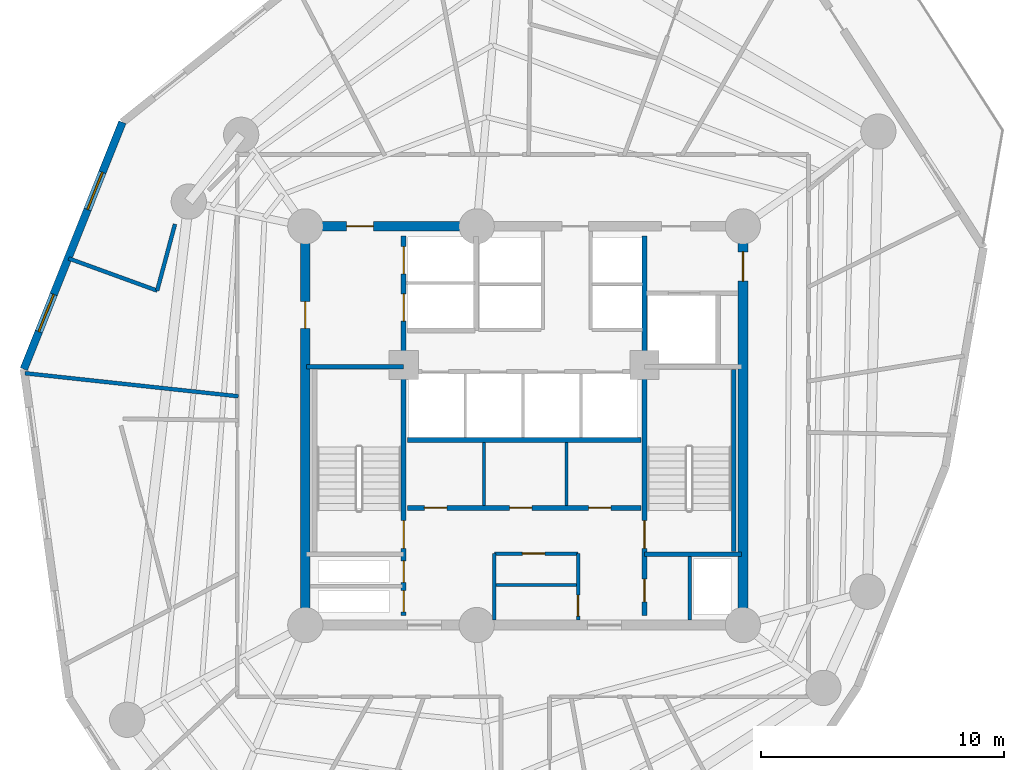
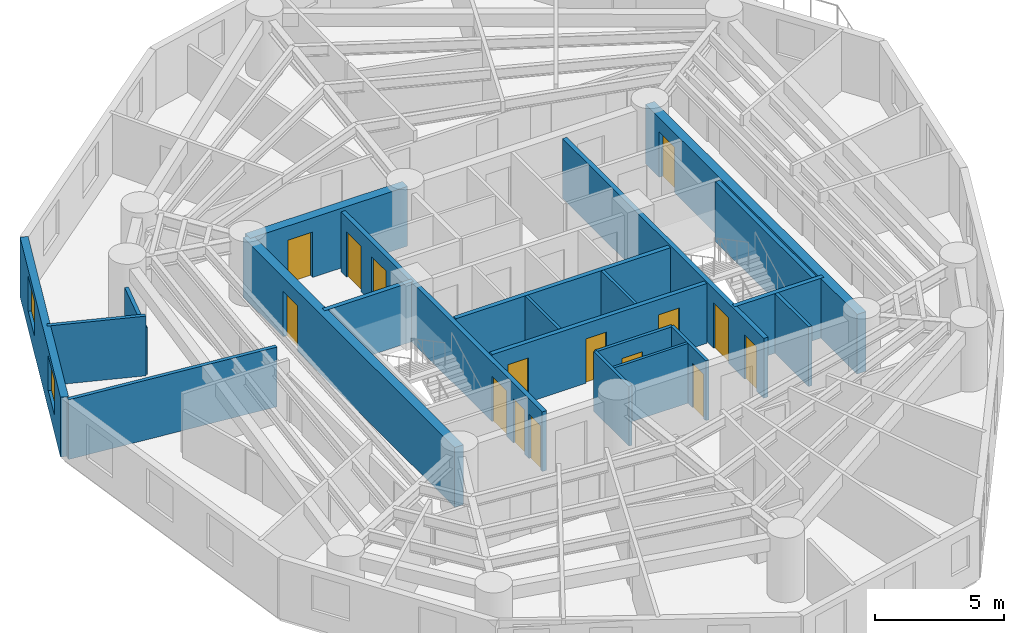
# One storey, part 4 of 8: 21 walls, 15 doors, 2 windows, 17 openings.
"""IFC4 building model written with IfcOpenShell, lengths in metres."""

from ifc_helpers import new_model, si_unit, direction, frame, frame_2d, origin, origin_with_axes, place, context, subcontext, project, spatial, rectangle, extrude, source, transform, mapped, material, layer, layer_set, type_object, element, fill, save


model = new_model("IFC4")

# Units and contexts
model_context = context("Model", 3, precision=1e-05, world=origin(), true_north=direction((0.0, 1.0)))
body_context = subcontext(model_context, "Body", "Model", "MODEL_VIEW")
ifc_project = project(units=[si_unit("LENGTHUNIT", "METRE"), si_unit("AREAUNIT", "SQUARE_METRE"), si_unit("VOLUMEUNIT", "CUBIC_METRE"), si_unit("PLANEANGLEUNIT", "RADIAN"), si_unit("MASSUNIT", "GRAM", prefix="KILO")], contexts=[model_context])

# Site, building, storey
site_placement = place(None, origin())
site = spatial("IfcSite", under=ifc_project, at=site_placement, CompositionType="ELEMENT")
building_placement = place(site_placement, origin())
building = spatial("IfcBuilding", under=site, at=building_placement, Name="Karkom Vertical University and Central Library", CompositionType="ELEMENT")
storey_placement = place(building_placement, frame((0.0, 0.0, 132.800048828125)))
storey = spatial("IfcBuildingStorey", under=building, at=storey_placement, Name="L37", CompositionType="ELEMENT", Elevation=132.800048828125)

# Wall, openings, windows
ifc_material_1 = material(Name="Brick-faced precast concrete C45/55", Category="masonry")
ifc_layer_1 = layer(ifc_material_1, 0.320068359375)
ifc_layer_set_1 = layer_set([ifc_layer_1], Name="Brick-faced precast concrete C45/55")
wall_type_1 = type_object("IfcWallType", Name="ENV-WL-BRK-320", PredefinedType="SOLIDWALL", material=ifc_layer_set_1)
wall_1_placement = place(storey_placement, frame((11.975341796875, 38.981201171875, 0.0), z_axis=(0.0, 0.0, 1.0), x_axis=(-0.370728292026, -0.928741370615, 0.0)))
wall_1 = element("IfcWall", 1, at=wall_1_placement, inside=storey, type_object=wall_type_1, Name="Level 37 Brick-Faced Precast Facade Wall 12", PredefinedType="SOLIDWALL", context=body_context, shape_type="SweptSolid", body=[
    extrude(rectangle(XDim=10.931884765625, YDim=0.320068359375, at=frame_2d((5.4658203125, 0.0))), origin(), (0.0, 0.0, 1.0), 2.824951171875),
])
opening_1_placement = place(wall_1_placement, frame((2.214599609375, 0.0, 0.85009765625)))
opening_1 = element("IfcOpeningElement", 2, at=opening_1_placement, cuts=wall_1, Name="Opening WN-06", PredefinedType="OPENING", context=body_context, shape_type="SweptSolid", body=[
    extrude(rectangle(XDim=1.64990234375, YDim=1.64990234375, at=frame_2d((0.824951171875, 0.824951171875))), frame((0.0, 0.169921875, 0.0), z_axis=(0.0, -1.0, 0.0), x_axis=(1.0, 0.0, 0.0)), (0.0, 0.0, 1.0), 0.340087890625),
])
opening_2_placement = place(wall_1_placement, frame((7.620361328125, 0.0, 0.85009765625)))
opening_2 = element("IfcOpeningElement", 3, at=opening_2_placement, cuts=wall_1, Name="Opening WN-06", PredefinedType="OPENING", context=body_context, shape_type="SweptSolid", body=[
    extrude(rectangle(XDim=1.64990234375, YDim=1.64990234375, at=frame_2d((0.824951171875, 0.824951171875))), frame((0.0, 0.169921875, 0.0), z_axis=(0.0, -1.0, 0.0), x_axis=(1.0, 0.0, 0.0)), (0.0, 0.0, 1.0), 0.340087890625),
])
ifc_material_2 = material(Name="Aluminium thermal-break frame with solar-control IGU", Category="aluminium")
window_type = type_object("IfcWindowType", Name="ENV-WIN-WN-06", PartitioningType="SINGLE_PANEL", PredefinedType="WINDOW", material=ifc_material_2)
shared_shape_1 = source(origin_with_axes(), body_context, "Body", "SweptSolid", [
    extrude(rectangle(XDim=1.64990234375, YDim=1.64990234375, at=frame_2d((0.824951171875, 0.824951171875))), frame((0.0, 0.030029296875, 0.0), z_axis=(0.0, -1.0, 0.0), x_axis=(1.0, 0.0, 0.0)), (0.0, 0.0, 1.0), 0.06005859375),
])
window_1_placement = place(opening_1_placement, origin())
window_1 = element("IfcWindow", 4, at=window_1_placement, inside=storey, type_object=window_type, Name="Level 37 Punched Window 12.1", OverallHeight=1.64990234375, OverallWidth=1.64990234375, PartitioningType="SINGLE_PANEL", PredefinedType="WINDOW", context=body_context, shape_type="MappedRepresentation", body=[
    mapped(shared_shape_1, transform((0.0, 0.0, 0.0), scale=1.0)),
])
fill(opening_1, window_1)
window_2_placement = place(opening_2_placement, origin())
window_2 = element("IfcWindow", 5, at=window_2_placement, inside=storey, type_object=window_type, Name="Level 37 Punched Window 12.2", OverallHeight=1.64990234375, OverallWidth=1.64990234375, PartitioningType="SINGLE_PANEL", PredefinedType="WINDOW", context=body_context, shape_type="MappedRepresentation", body=[
    mapped(shared_shape_1, transform((0.0, 0.0, 0.0), scale=1.0)),
])
fill(opening_2, window_2)

# Walls
ifc_material_3 = material(Name="Insulated metal-stud drywall 160mm", Category="gypsum")
ifc_layer_2 = layer(ifc_material_3, 0.159912109375)
ifc_layer_set_2 = layer_set([ifc_layer_2], Name="Insulated metal-stud drywall 160mm")
wall_type_2 = type_object("IfcWallType", Name="INT-WL-COR-160", PredefinedType="PARTITIONING", material=ifc_layer_set_2)
wall_2_placement = place(storey_placement, frame((7.973388671875, 28.658203125, 0.0), z_axis=(0.0, 0.0, 1.0), x_axis=(0.994210323824, -0.107451533272, 0.0)))
element("IfcWall", 6, at=wall_2_placement, inside=storey, type_object=wall_type_2, Name="Level 37 Interior Partition Wall L37-PW-004", PredefinedType="PARTITIONING", context=body_context, shape_type="SweptSolid", body=[
    extrude(rectangle(XDim=8.822509765625, YDim=0.159912109375, at=frame_2d((4.4111328125, 0.0))), origin(), (0.0, 0.0, 1.0), 2.824951171875),
])
wall_3_placement = place(storey_placement, frame((13.406005859375, 32.056640625, 0.0), z_axis=(0.0, 0.0, 1.0), x_axis=(-0.939699515727, 0.342001199035, 0.0)))
element("IfcWall", 7, at=wall_3_placement, inside=storey, type_object=wall_type_2, Name="Level 37 Interior Partition Wall L37-PW-028", PredefinedType="PARTITIONING", context=body_context, shape_type="SweptSolid", body=[
    extrude(rectangle(XDim=3.872802734375, YDim=0.159912109375, at=frame_2d((1.9365234375, 0.0))), origin(), (0.0, 0.0, 1.0), 2.824951171875),
])
wall_4_placement = place(storey_placement, frame((14.138916015625, 34.79150390625, 0.0), z_axis=(0.0, 0.0, 1.0), x_axis=(-0.258853892004, -0.965916488416, 0.0)))
element("IfcWall", 8, at=wall_4_placement, inside=storey, type_object=wall_type_2, Name="Level 37 Interior Partition Wall L37-PW-027", PredefinedType="PARTITIONING", context=body_context, shape_type="SweptSolid", body=[
    extrude(rectangle(XDim=2.831298828125, YDim=0.159912109375, at=frame_2d((1.41552734375, 0.0))), origin(), (0.0, 0.0, 1.0), 2.224853515625),
])
ifc_material_4 = material(Name="Moisture-resistant drywall 120mm", Category="gypsum")
ifc_layer_3 = layer(ifc_material_4, 0.1201171875)
ifc_layer_set_3 = layer_set([ifc_layer_3], Name="Moisture-resistant drywall 120mm")
wall_type_3 = type_object("IfcWallType", Name="INT-WL-INT-120", PredefinedType="PARTITIONING", material=ifc_layer_set_3)
wall_5_placement = place(storey_placement, frame((27.280029296875, 19.93994140625, 0.0), z_axis=(0.0, 0.0, 1.0), x_axis=(1.0, 0.0, 0.0)))
element("IfcWall", 9, at=wall_5_placement, inside=storey, type_object=wall_type_3, Name="Level 37 Interior Partition Wall L37-CW-K4-DIV", PredefinedType="PARTITIONING", context=body_context, shape_type="SweptSolid", body=[
    extrude(rectangle(XDim=3.43994140625, YDim=0.1201171875, at=frame_2d((1.719970703125, 0.0))), origin(), (0.0, 0.0, 1.0), 2.824951171875),
])
for number, where, z_axis, x_axis, name in (
    (10, (26.85009765625, 23.22705078125, 0.0), (0.0, 0.0, 1.0), (0.0, 1.0, 0.0), "Level 37 Interior Partition Wall L37-CW-B1-K4A"),
    (11, (30.25, 23.22705078125, 0.0), (0.0, 0.0, 1.0), (0.0, 1.0, 0.0), "Level 37 Interior Partition Wall L37-CW-B1-K4B"),
):
    element("IfcWall", number, at=place(storey_placement, frame(where, z_axis=z_axis, x_axis=x_axis)), inside=storey, type_object=wall_type_3, Name=name, PredefinedType="PARTITIONING", context=body_context, shape_type="SweptSolid", body=[
        extrude(rectangle(XDim=2.586669921875, YDim=0.1201171875, at=frame_2d((1.29345703125, 0.0))), origin(), (0.0, 0.0, 1.0), 2.824951171875),
    ])

# Wall, opening, door
ifc_material_5 = material(Name="Metal-stud gypsum partition 140mm", Category="gypsum")
ifc_layer_4 = layer(ifc_material_5, 0.139892578125)
ifc_layer_set_4 = layer_set([ifc_layer_4], Name="Metal-stud gypsum partition 140mm")
wall_type_4 = type_object("IfcWallType", Name="INT-WL-SUB-140", PredefinedType="PARTITIONING", material=ifc_layer_set_4)
wall_6_placement = place(storey_placement, frame((27.280029296875, 21.239990234375, 0.0), z_axis=(0.0, 0.0, 1.0), x_axis=(1.0, 0.0, 0.0)))
wall_6 = element("IfcWall", 12, at=wall_6_placement, inside=storey, type_object=wall_type_4, Name="Level 37 Interior Partition Wall L37-CW-KBAY-N", PredefinedType="PARTITIONING", context=body_context, shape_type="SweptSolid", body=[
    extrude(rectangle(XDim=3.43994140625, YDim=0.139892578125, at=frame_2d((1.719970703125, 0.0))), origin(), (0.0, 0.0, 1.0), 2.824951171875),
])
opening_3_placement = place(wall_6_placement, frame((1.14990234375, 0.0, 0.0)))
opening_3 = element("IfcOpeningElement", 13, at=opening_3_placement, cuts=wall_6, Name="Opening D-SVC1", PredefinedType="OPENING", context=body_context, shape_type="SweptSolid", body=[
    extrude(rectangle(XDim=0.919921875, YDim=2.10009765625, at=frame_2d((0.4599609375, 1.050048828125))), frame((0.0, 0.080078125, 0.0), z_axis=(0.0, -1.0, 0.0), x_axis=(1.0, 0.0, 0.0)), (0.0, 0.0, 1.0), 0.159912109375),
])
ifc_material_6 = material(Name="Painted timber service door", Category="wood")
door_type_1 = type_object("IfcDoorType", Name="INT-DR-SVC1", OperationType="NOTDEFINED", PredefinedType="DOOR", material=ifc_material_6)
shared_shape_2 = source(origin_with_axes(), body_context, "Body", "SweptSolid", [
    extrude(rectangle(XDim=0.919921875, YDim=2.10009765625, at=frame_2d((0.4599609375, 1.050048828125))), frame((0.0, 0.02490234375, 0.0), z_axis=(0.0, -1.0, 0.0), x_axis=(1.0, 0.0, 0.0)), (0.0, 0.0, 1.0), 0.050048828125),
])
door_1_placement = place(opening_3_placement, origin())
door_1 = element("IfcDoor", 14, at=door_1_placement, inside=storey, type_object=door_type_1, Name="Level 37 Valve Cupboard Door", OperationType="SINGLE_SWING_LEFT", OverallHeight=2.10009765625, OverallWidth=0.919921875, PredefinedType="DOOR", context=body_context, shape_type="MappedRepresentation", body=[
    mapped(shared_shape_2, transform((0.0, 0.0, 0.0), scale=1.0)),
])
fill(opening_3, door_1)

# Wall
wall_7_placement = place(storey_placement, frame((27.280029296875, 18.507080078125, 0.0), z_axis=(0.0, 0.0, 1.0), x_axis=(0.0, 1.0, 0.0)))
element("IfcWall", 15, at=wall_7_placement, inside=storey, type_object=wall_type_4, Name="Level 37 Interior Partition Wall L37-CW-KBAY-W", PredefinedType="PARTITIONING", context=body_context, shape_type="SweptSolid", body=[
    extrude(rectangle(XDim=2.73291015625, YDim=0.139892578125, at=frame_2d((1.366455078125, 0.0))), origin(), (0.0, 0.0, 1.0), 2.824951171875),
])

# Wall, opening, door
wall_8_placement = place(storey_placement, frame((30.719970703125, 18.507080078125, 0.0), z_axis=(0.0, 0.0, 1.0), x_axis=(0.0, 1.0, 0.0)))
wall_8 = element("IfcWall", 16, at=wall_8_placement, inside=storey, type_object=wall_type_4, Name="Level 37 Interior Partition Wall L37-CW-KBAY-E", PredefinedType="PARTITIONING", context=body_context, shape_type="SweptSolid", body=[
    extrude(rectangle(XDim=2.73291015625, YDim=0.139892578125, at=frame_2d((1.366455078125, 0.0))), origin(), (0.0, 0.0, 1.0), 2.824951171875),
])
opening_4_placement = place(wall_8_placement, frame((0.159912109375, 0.0, 0.0)))
opening_4 = element("IfcOpeningElement", 17, at=opening_4_placement, cuts=wall_8, Name="Opening FD-BTH1", PredefinedType="OPENING", context=body_context, shape_type="SweptSolid", body=[
    extrude(rectangle(XDim=0.860107421875, YDim=2.10009765625, at=frame_2d((0.43017578125, 1.050048828125))), frame((0.0, 0.080078125, 0.0), z_axis=(0.0, -1.0, 0.0), x_axis=(1.0, 0.0, 0.0)), (0.0, 0.0, 1.0), 0.159912109375),
])
ifc_material_7 = material(Name="Fire-rated moisture-resistant oak door", Category="wood")
door_type_2 = type_object("IfcDoorType", Name="INT-DR-FBTH1", OperationType="NOTDEFINED", PredefinedType="DOOR", material=ifc_material_7)
shared_shape_3 = source(origin_with_axes(), body_context, "Body", "SweptSolid", [
    extrude(rectangle(XDim=0.860107421875, YDim=2.10009765625, at=frame_2d((0.43017578125, 1.050048828125))), frame((0.0, 0.02490234375, 0.0), z_axis=(0.0, -1.0, 0.0), x_axis=(1.0, 0.0, 0.0)), (0.0, 0.0, 1.0), 0.050048828125),
])
door_2_placement = place(opening_4_placement, origin())
door_2 = element("IfcDoor", 18, at=door_2_placement, inside=storey, type_object=door_type_2, Name="Level 37 Metering Cupboard Door", OperationType="SINGLE_SWING_RIGHT", OverallHeight=2.10009765625, OverallWidth=0.860107421875, PredefinedType="DOOR", context=body_context, shape_type="MappedRepresentation", body=[
    mapped(shared_shape_3, transform((0.0, 0.0, 0.0), scale=1.0)),
])
fill(opening_4, door_2)

# Wall
ifc_layer_5 = layer(ifc_material_5, 0.139892578125)
ifc_layer_set_5 = layer_set([ifc_layer_5], Name="Metal-stud gypsum partition 140mm")
wall_type_5 = type_object("IfcWallType", Name="INT-WL-SUB-140H", PredefinedType="PARTITIONING", material=ifc_layer_set_5)
wall_9_placement = place(storey_placement, frame((35.320068359375, 18.507080078125, 0.0), z_axis=(0.0, 0.0, 1.0), x_axis=(0.0, 1.0, 0.0)))
element("IfcWall", 19, at=wall_9_placement, inside=storey, type_object=wall_type_5, Name="Level 37 Interior Partition Wall L37-CW-RIS-E", PredefinedType="PARTITIONING", context=body_context, shape_type="SweptSolid", body=[
    extrude(rectangle(XDim=2.603759765625, YDim=0.139892578125, at=frame_2d((1.3017578125, 0.0))), origin(), (0.0, 0.0, 1.0), 2.824951171875),
])

# Wall, opening, door
ifc_material_8 = material(Name="Concrete C50/60", Category="concrete")
ifc_layer_6 = layer(ifc_material_8, 0.39990234375)
ifc_layer_set_6 = layer_set([ifc_layer_6], Name="Concrete C50/60")
wall_type_6 = type_object("IfcWallType", Name="STR-WL-CW-400", PredefinedType="SHEAR", material=ifc_layer_set_6)
wall_10_placement = place(storey_placement, frame((37.5, 18.300048828125, 0.0), z_axis=(0.0, 0.0, 1.0), x_axis=(0.0, 1.0, 0.0)))
wall_10 = element("IfcWall", 20, at=wall_10_placement, inside=storey, type_object=wall_type_6, Name="Level 37 Central Core Shear Wall EW", PredefinedType="SHEAR", context=body_context, shape_type="SweptSolid", body=[
    extrude(rectangle(XDim=16.39990234375, YDim=0.39990234375, at=frame_2d((8.199951171875, 0.0))), origin(), (0.0, 0.0, 1.0), 2.824951171875),
])
opening_5_placement = place(wall_10_placement, frame((14.14990234375, 0.0, 0.0)))
opening_5 = element("IfcOpeningElement", 21, at=opening_5_placement, cuts=wall_10, Name="Opening FD-SUB1", PredefinedType="OPENING", context=body_context, shape_type="SweptSolid", body=[
    extrude(rectangle(XDim=1.199951171875, YDim=2.14990234375, at=frame_2d((0.60009765625, 1.074951171875))), frame((0.0, 0.2099609375, 0.0), z_axis=(0.0, -1.0, 0.0), x_axis=(1.0, 0.0, 0.0)), (0.0, 0.0, 1.0), 0.419921875),
])
ifc_material_9 = material(Name="Painted steel fire door", Category="steel")
door_type_3 = type_object("IfcDoorType", Name="INT-DR-SUB1", OperationType="NOTDEFINED", PredefinedType="DOOR", material=ifc_material_9)
shared_shape_4 = source(origin_with_axes(), body_context, "Body", "SweptSolid", [
    extrude(rectangle(XDim=1.199951171875, YDim=2.14990234375, at=frame_2d((0.60009765625, 1.074951171875))), frame((0.0, 0.02490234375, 0.0), z_axis=(0.0, -1.0, 0.0), x_axis=(1.0, 0.0, 0.0)), (0.0, 0.0, 1.0), 0.050048828125),
])
door_3_placement = place(opening_5_placement, origin())
door_3 = element("IfcDoor", 22, at=door_3_placement, inside=storey, type_object=door_type_3, Name="Level 37 East Corridor Service Lobby Door", OperationType="SINGLE_SWING_LEFT", OverallHeight=2.14990234375, OverallWidth=1.199951171875, PredefinedType="DOOR", context=body_context, shape_type="MappedRepresentation", body=[
    mapped(shared_shape_4, transform((0.0, 0.0, 0.0), scale=1.0)),
])
fill(opening_5, door_3)

wall_11_placement = place(storey_placement, frame((26.550048828125, 34.699951171875, 0.0), z_axis=(0.0, 0.0, 1.0), x_axis=(-1.0, 0.0, 0.0)))
wall_11 = element("IfcWall", 23, at=wall_11_placement, inside=storey, type_object=wall_type_6, Name="Level 37 Central Core Shear Wall NW2", PredefinedType="SHEAR", context=body_context, shape_type="SweptSolid", body=[
    extrude(rectangle(XDim=7.050048828125, YDim=0.39990234375, at=frame_2d((3.52490234375, 0.0))), origin(), (0.0, 0.0, 1.0), 2.824951171875),
])
opening_6_placement = place(wall_11_placement, frame((4.25, 0.0, 0.0)))
opening_6 = element("IfcOpeningElement", 24, at=opening_6_placement, cuts=wall_11, Name="Opening FD-FFL", PredefinedType="OPENING", context=body_context, shape_type="SweptSolid", body=[
    extrude(rectangle(XDim=1.10009765625, YDim=2.14990234375, at=frame_2d((0.550048828125, 1.074951171875))), frame((0.0, 0.2099609375, 0.0), z_axis=(0.0, -1.0, 0.0), x_axis=(1.0, 0.0, 0.0)), (0.0, 0.0, 1.0), 0.419921875),
])
ifc_material_10 = material(Name="Painted steel smoke-seal fire door", Category="steel")
door_type_4 = type_object("IfcDoorType", Name="INT-DR-FFL", OperationType="NOTDEFINED", PredefinedType="DOOR", material=ifc_material_10)
shared_shape_5 = source(origin_with_axes(), body_context, "Body", "SweptSolid", [
    extrude(rectangle(XDim=1.10009765625, YDim=2.14990234375, at=frame_2d((0.550048828125, 1.074951171875))), frame((0.0, 0.02490234375, 0.0), z_axis=(0.0, -1.0, 0.0), x_axis=(1.0, 0.0, 0.0)), (0.0, 0.0, 1.0), 0.050048828125),
])
door_4_placement = place(opening_6_placement, origin())
door_4 = element("IfcDoor", 25, at=door_4_placement, inside=storey, type_object=door_type_4, Name="Level 37 Firefighting Lobby Door", OperationType="SINGLE_SWING_LEFT", OverallHeight=2.14990234375, OverallWidth=1.10009765625, PredefinedType="DOOR", context=body_context, shape_type="MappedRepresentation", body=[
    mapped(shared_shape_5, transform((0.0, 0.0, 0.0), scale=1.0)),
])
fill(opening_6, door_4)

wall_12_placement = place(storey_placement, frame((19.5, 34.699951171875, 0.0), z_axis=(0.0, 0.0, 1.0), x_axis=(0.0, -1.0, 0.0)))
wall_12 = element("IfcWall", 26, at=wall_12_placement, inside=storey, type_object=wall_type_6, Name="Level 37 Central Core Shear Wall WW", PredefinedType="SHEAR", context=body_context, shape_type="SweptSolid", body=[
    extrude(rectangle(XDim=16.39990234375, YDim=0.39990234375, at=frame_2d((8.199951171875, 0.0))), origin(), (0.0, 0.0, 1.0), 2.824951171875),
])
opening_7_placement = place(wall_12_placement, frame((3.10009765625, 0.0, 0.0)))
opening_7 = element("IfcOpeningElement", 27, at=opening_7_placement, cuts=wall_12, Name="Opening FD-FFL", PredefinedType="OPENING", context=body_context, shape_type="SweptSolid", body=[
    extrude(rectangle(XDim=1.10009765625, YDim=2.14990234375, at=frame_2d((0.550048828125, 1.074951171875))), frame((0.0, 0.2099609375, 0.0), z_axis=(0.0, -1.0, 0.0), x_axis=(1.0, 0.0, 0.0)), (0.0, 0.0, 1.0), 0.419921875),
])
door_5_placement = place(opening_7_placement, origin())
door_5 = element("IfcDoor", 28, at=door_5_placement, inside=storey, type_object=door_type_4, Name="Level 37 West Corridor Firefighting Lobby Door", OperationType="SINGLE_SWING_RIGHT", OverallHeight=2.14990234375, OverallWidth=1.10009765625, PredefinedType="DOOR", context=body_context, shape_type="MappedRepresentation", body=[
    mapped(shared_shape_5, transform((0.0, 0.0, 0.0), scale=1.0)),
])
fill(opening_7, door_5)

# Wall, openings, doors
ifc_material_11 = material(Name="Concrete C45/55", Category="concrete")
ifc_layer_7 = layer(ifc_material_11, 0.199951171875)
ifc_layer_set_7 = layer_set([ifc_layer_7], Name="Concrete C45/55")
wall_type_7 = type_object("IfcWallType", Name="STR-WL-ST-200", PredefinedType="SHEAR", material=ifc_layer_set_7)
wall_13_placement = place(storey_placement, frame((23.544921875, 18.699951171875, 0.0), z_axis=(0.0, 0.0, 1.0), x_axis=(0.0, 1.0, 0.0)))
wall_13 = element("IfcWall", 29, at=wall_13_placement, inside=storey, type_object=wall_type_7, Name="Level 37 Core Shaft Wall L37-CW-ST1-E", PredefinedType="SHEAR", context=body_context, shape_type="SweptSolid", body=[
    extrude(rectangle(XDim=15.60009765625, YDim=0.199951171875, at=frame_2d((7.800048828125, 0.0))), origin(), (0.0, 0.0, 1.0), 2.824951171875),
])
opening_8_placement = place(wall_13_placement, frame((2.75, 0.0, 0.0)))
opening_8 = element("IfcOpeningElement", 30, at=opening_8_placement, cuts=wall_13, Name="Opening FD-ST1", PredefinedType="OPENING", context=body_context, shape_type="SweptSolid", body=[
    extrude(rectangle(XDim=1.14990234375, YDim=2.14990234375, at=frame_2d((0.574951171875, 1.074951171875))), frame((0.0, 0.10986328125, 0.0), z_axis=(0.0, -1.0, 0.0), x_axis=(1.0, 0.0, 0.0)), (0.0, 0.0, 1.0), 0.219970703125),
])
opening_9_placement = place(wall_13_placement, frame((0.139892578125, 0.0, 0.0)))
opening_9 = element("IfcOpeningElement", 31, at=opening_9_placement, cuts=wall_13, Name="Opening FD-RIS", PredefinedType="OPENING", context=body_context, shape_type="SweptSolid", body=[
    extrude(rectangle(XDim=0.8798828125, YDim=2.10009765625, at=frame_2d((0.43994140625, 1.050048828125))), frame((0.0, 0.10986328125, 0.0), z_axis=(0.0, -1.0, 0.0), x_axis=(1.0, 0.0, 0.0)), (0.0, 0.0, 1.0), 0.219970703125),
])
opening_10_placement = place(wall_13_placement, frame((1.360107421875, 0.0, 0.0)))
opening_10 = element("IfcOpeningElement", 32, at=opening_10_placement, cuts=wall_13, Name="Opening FD-RIS", PredefinedType="OPENING", context=body_context, shape_type="SweptSolid", body=[
    extrude(rectangle(XDim=0.8798828125, YDim=2.10009765625, at=frame_2d((0.43994140625, 1.050048828125))), frame((0.0, 0.10986328125, 0.0), z_axis=(0.0, -1.0, 0.0), x_axis=(1.0, 0.0, 0.0)), (0.0, 0.0, 1.0), 0.219970703125),
])
opening_11_placement = place(wall_13_placement, frame((12.10009765625, 0.0, 0.0)))
opening_11 = element("IfcOpeningElement", 33, at=opening_11_placement, cuts=wall_13, Name="Opening LD-FFL", PredefinedType="OPENING", context=body_context, shape_type="SweptSolid", body=[
    extrude(rectangle(XDim=1.1201171875, YDim=2.14990234375, at=frame_2d((0.56005859375, 1.074951171875))), frame((0.0, 0.10986328125, 0.0), z_axis=(0.0, -1.0, 0.0), x_axis=(1.0, 0.0, 0.0)), (0.0, 0.0, 1.0), 0.219970703125),
])
opening_12_placement = place(wall_13_placement, frame((14.050048828125, 0.0, 0.0)))
opening_12 = element("IfcOpeningElement", 34, at=opening_12_placement, cuts=wall_13, Name="Opening LD-FFL", PredefinedType="OPENING", context=body_context, shape_type="SweptSolid", body=[
    extrude(rectangle(XDim=1.1201171875, YDim=2.14990234375, at=frame_2d((0.56005859375, 1.074951171875))), frame((0.0, 0.10986328125, 0.0), z_axis=(0.0, -1.0, 0.0), x_axis=(1.0, 0.0, 0.0)), (0.0, 0.0, 1.0), 0.219970703125),
])
ifc_material_12 = material(Name="Painted steel acoustic fire door", Category="steel")
door_type_5 = type_object("IfcDoorType", Name="INT-DR-ST1", OperationType="NOTDEFINED", PredefinedType="DOOR", material=ifc_material_12)
shared_shape_6 = source(origin_with_axes(), body_context, "Body", "SweptSolid", [
    extrude(rectangle(XDim=1.14990234375, YDim=2.14990234375, at=frame_2d((0.574951171875, 1.074951171875))), frame((0.0, 0.02490234375, 0.0), z_axis=(0.0, -1.0, 0.0), x_axis=(1.0, 0.0, 0.0)), (0.0, 0.0, 1.0), 0.050048828125),
])
door_6_placement = place(opening_8_placement, origin())
door_6 = element("IfcDoor", 35, at=door_6_placement, inside=storey, type_object=door_type_5, Name="Level 37 Stair ST-1 Fire Door", OperationType="SINGLE_SWING_LEFT", OverallHeight=2.14990234375, OverallWidth=1.14990234375, PredefinedType="DOOR", context=body_context, shape_type="MappedRepresentation", body=[
    mapped(shared_shape_6, transform((0.0, 0.0, 0.0), scale=1.0)),
])
fill(opening_8, door_6)
ifc_material_13 = material(Name="Painted steel riser access door", Category="steel")
door_type_6 = type_object("IfcDoorType", Name="INT-DR-RIS", OperationType="NOTDEFINED", PredefinedType="DOOR", material=ifc_material_13)
shared_shape_7 = source(origin_with_axes(), body_context, "Body", "SweptSolid", [
    extrude(rectangle(XDim=0.8798828125, YDim=2.10009765625, at=frame_2d((0.43994140625, 1.050048828125))), frame((0.0, 0.02490234375, 0.0), z_axis=(0.0, -1.0, 0.0), x_axis=(1.0, 0.0, 0.0)), (0.0, 0.0, 1.0), 0.050048828125),
])
door_7_placement = place(opening_9_placement, origin())
door_7 = element("IfcDoor", 36, at=door_7_placement, inside=storey, type_object=door_type_6, Name="Level 37 Electrical Riser Access Door", OperationType="SINGLE_SWING_LEFT", OverallHeight=2.10009765625, OverallWidth=0.8798828125, PredefinedType="DOOR", context=body_context, shape_type="MappedRepresentation", body=[
    mapped(shared_shape_7, transform((0.0, 0.0, 0.0), scale=1.0)),
])
fill(opening_9, door_7)
door_8_placement = place(opening_10_placement, origin())
door_8 = element("IfcDoor", 37, at=door_8_placement, inside=storey, type_object=door_type_6, Name="Level 37 Telecom Riser Access Door", OperationType="SINGLE_SWING_RIGHT", OverallHeight=2.10009765625, OverallWidth=0.8798828125, PredefinedType="DOOR", context=body_context, shape_type="MappedRepresentation", body=[
    mapped(shared_shape_7, transform((0.0, 0.0, 0.0), scale=1.0)),
])
fill(opening_10, door_8)
ifc_material_14 = material(Name="Fire-rated stainless-steel landing door", Category="steel")
door_type_7 = type_object("IfcDoorType", Name="INT-DR-LD-FFL", OperationType="SLIDING_TO_LEFT", PredefinedType="DOOR", material=ifc_material_14)
shared_shape_8 = source(origin_with_axes(), body_context, "Body", "SweptSolid", [
    extrude(rectangle(XDim=1.1201171875, YDim=2.14990234375, at=frame_2d((0.56005859375, 1.074951171875))), frame((0.0, 0.02490234375, 0.0), z_axis=(0.0, -1.0, 0.0), x_axis=(1.0, 0.0, 0.0)), (0.0, 0.0, 1.0), 0.050048828125),
])
door_9_placement = place(opening_11_placement, origin())
door_9 = element("IfcDoor", 38, at=door_9_placement, inside=storey, type_object=door_type_7, Name="Level 37 Firefighting Lift FFL-1 Landing Door", OperationType="SLIDING_TO_LEFT", OverallHeight=2.14990234375, OverallWidth=1.1201171875, PredefinedType="DOOR", context=body_context, shape_type="MappedRepresentation", body=[
    mapped(shared_shape_8, transform((0.0, 0.0, 0.0), scale=1.0)),
])
fill(opening_11, door_9)
door_10_placement = place(opening_12_placement, origin())
door_10 = element("IfcDoor", 39, at=door_10_placement, inside=storey, type_object=door_type_7, Name="Level 37 Firefighting Lift FFL-2 Landing Door", OperationType="SLIDING_TO_RIGHT", OverallHeight=2.14990234375, OverallWidth=1.1201171875, PredefinedType="DOOR", context=body_context, shape_type="MappedRepresentation", body=[
    mapped(shared_shape_8, transform((0.0, 0.0, 0.0), scale=1.0)),
])
fill(opening_12, door_10)

wall_14_placement = place(storey_placement, frame((33.455078125, 18.699951171875, 0.0), z_axis=(0.0, 0.0, 1.0), x_axis=(0.0, 1.0, 0.0)))
wall_14 = element("IfcWall", 40, at=wall_14_placement, inside=storey, type_object=wall_type_7, Name="Level 37 Core Shaft Wall L37-CW-ST2-W", PredefinedType="SHEAR", context=body_context, shape_type="SweptSolid", body=[
    extrude(rectangle(XDim=15.60009765625, YDim=0.199951171875, at=frame_2d((7.800048828125, 0.0))), origin(), (0.0, 0.0, 1.0), 2.824951171875),
])
opening_13_placement = place(wall_14_placement, frame((2.75, 0.0, 0.0)))
opening_13 = element("IfcOpeningElement", 41, at=opening_13_placement, cuts=wall_14, Name="Opening FD-ST1", PredefinedType="OPENING", context=body_context, shape_type="SweptSolid", body=[
    extrude(rectangle(XDim=1.14990234375, YDim=2.14990234375, at=frame_2d((0.574951171875, 1.074951171875))), frame((0.0, 0.10986328125, 0.0), z_axis=(0.0, -1.0, 0.0), x_axis=(1.0, 0.0, 0.0)), (0.0, 0.0, 1.0), 0.219970703125),
])
opening_14_placement = place(wall_14_placement, frame((0.550048828125, 0.0, 0.0)))
opening_14 = element("IfcOpeningElement", 42, at=opening_14_placement, cuts=wall_14, Name="Opening D-WC1", PredefinedType="OPENING", context=body_context, shape_type="SweptSolid", body=[
    extrude(rectangle(XDim=0.93994140625, YDim=2.10009765625, at=frame_2d((0.469970703125, 1.050048828125))), frame((0.0, 0.10986328125, 0.0), z_axis=(0.0, -1.0, 0.0), x_axis=(1.0, 0.0, 0.0)), (0.0, 0.0, 1.0), 0.219970703125),
])
door_11_placement = place(opening_13_placement, origin())
door_11 = element("IfcDoor", 43, at=door_11_placement, inside=storey, type_object=door_type_5, Name="Level 37 Stair ST-2 Fire Door", OperationType="SINGLE_SWING_RIGHT", OverallHeight=2.14990234375, OverallWidth=1.14990234375, PredefinedType="DOOR", context=body_context, shape_type="MappedRepresentation", body=[
    mapped(shared_shape_6, transform((0.0, 0.0, 0.0), scale=1.0)),
])
fill(opening_13, door_11)
ifc_material_15 = material(Name="Fire-rated laminate moisture-resistant door", Category="wood")
door_type_8 = type_object("IfcDoorType", Name="INT-DR-WC1", OperationType="NOTDEFINED", PredefinedType="DOOR", material=ifc_material_15)
shared_shape_9 = source(origin_with_axes(), body_context, "Body", "SweptSolid", [
    extrude(rectangle(XDim=0.93994140625, YDim=2.10009765625, at=frame_2d((0.469970703125, 1.050048828125))), frame((0.0, 0.02490234375, 0.0), z_axis=(0.0, -1.0, 0.0), x_axis=(1.0, 0.0, 0.0)), (0.0, 0.0, 1.0), 0.050048828125),
])
door_12_placement = place(opening_14_placement, origin())
door_12 = element("IfcDoor", 44, at=door_12_placement, inside=storey, type_object=door_type_8, Name="Level 37 Accessible WC Door", OperationType="SINGLE_SWING_LEFT", OverallHeight=2.10009765625, OverallWidth=0.93994140625, PredefinedType="DOOR", context=body_context, shape_type="MappedRepresentation", body=[
    mapped(shared_shape_9, transform((0.0, 0.0, 0.0), scale=1.0)),
])
fill(opening_14, door_12)

wall_15_placement = place(storey_placement, frame((23.699951171875, 23.1201171875, 0.0), z_axis=(0.0, 0.0, 1.0), x_axis=(1.0, 0.0, 0.0)))
wall_15 = element("IfcWall", 45, at=wall_15_placement, inside=storey, type_object=wall_type_7, Name="Level 37 Core Shaft Wall L37-CW-B1-S", PredefinedType="SHEAR", context=body_context, shape_type="SweptSolid", body=[
    extrude(rectangle(XDim=9.60009765625, YDim=0.199951171875, at=frame_2d((4.800048828125, 0.0))), origin(), (0.0, 0.0, 1.0), 2.824951171875),
])
opening_15_placement = place(wall_15_placement, frame((0.699951171875, 0.0, 0.0)))
opening_15 = element("IfcOpeningElement", 46, at=opening_15_placement, cuts=wall_15, Name="Opening D-SVC1", PredefinedType="OPENING", context=body_context, shape_type="SweptSolid", body=[
    extrude(rectangle(XDim=0.919921875, YDim=2.10009765625, at=frame_2d((0.4599609375, 1.050048828125))), frame((0.0, 0.10986328125, 0.0), z_axis=(0.0, -1.0, 0.0), x_axis=(1.0, 0.0, 0.0)), (0.0, 0.0, 1.0), 0.219970703125),
])
opening_16_placement = place(wall_15_placement, frame((4.199951171875, 0.0, 0.0)))
opening_16 = element("IfcOpeningElement", 47, at=opening_16_placement, cuts=wall_15, Name="Opening D-SVC1", PredefinedType="OPENING", context=body_context, shape_type="SweptSolid", body=[
    extrude(rectangle(XDim=0.919921875, YDim=2.10009765625, at=frame_2d((0.4599609375, 1.050048828125))), frame((0.0, 0.10986328125, 0.0), z_axis=(0.0, -1.0, 0.0), x_axis=(1.0, 0.0, 0.0)), (0.0, 0.0, 1.0), 0.219970703125),
])
opening_17_placement = place(wall_15_placement, frame((7.449951171875, 0.0, 0.0)))
opening_17 = element("IfcOpeningElement", 48, at=opening_17_placement, cuts=wall_15, Name="Opening D-SVC1", PredefinedType="OPENING", context=body_context, shape_type="SweptSolid", body=[
    extrude(rectangle(XDim=0.919921875, YDim=2.10009765625, at=frame_2d((0.4599609375, 1.050048828125))), frame((0.0, 0.10986328125, 0.0), z_axis=(0.0, -1.0, 0.0), x_axis=(1.0, 0.0, 0.0)), (0.0, 0.0, 1.0), 0.219970703125),
])
door_13_placement = place(opening_15_placement, origin())
door_13 = element("IfcDoor", 49, at=door_13_placement, inside=storey, type_object=door_type_1, Name="Level 37 B1 Store A Door", OperationType="SINGLE_SWING_RIGHT", OverallHeight=2.10009765625, OverallWidth=0.919921875, PredefinedType="DOOR", context=body_context, shape_type="MappedRepresentation", body=[
    mapped(shared_shape_2, transform((0.0, 0.0, 0.0), scale=1.0)),
])
fill(opening_15, door_13)
door_14_placement = place(opening_16_placement, origin())
door_14 = element("IfcDoor", 50, at=door_14_placement, inside=storey, type_object=door_type_1, Name="Level 37 B1 Comms Door", OperationType="SINGLE_SWING_LEFT", OverallHeight=2.10009765625, OverallWidth=0.919921875, PredefinedType="DOOR", context=body_context, shape_type="MappedRepresentation", body=[
    mapped(shared_shape_2, transform((0.0, 0.0, 0.0), scale=1.0)),
])
fill(opening_16, door_14)
door_15_placement = place(opening_17_placement, origin())
door_15 = element("IfcDoor", 51, at=door_15_placement, inside=storey, type_object=door_type_1, Name="Level 37 B1 Store C Door", OperationType="SINGLE_SWING_RIGHT", OverallHeight=2.10009765625, OverallWidth=0.919921875, PredefinedType="DOOR", context=body_context, shape_type="MappedRepresentation", body=[
    mapped(shared_shape_2, transform((0.0, 0.0, 0.0), scale=1.0)),
])
fill(opening_17, door_15)

# Walls
wall_16_placement = place(storey_placement, frame((23.699951171875, 25.919921875, 0.0), z_axis=(0.0, 0.0, 1.0), x_axis=(1.0, 0.0, 0.0)))
element("IfcWall", 52, at=wall_16_placement, inside=storey, type_object=wall_type_7, Name="Level 37 Core Shaft Wall L37-CW-B1-N", PredefinedType="SHEAR", context=body_context, shape_type="SweptSolid", body=[
    extrude(rectangle(XDim=9.60009765625, YDim=0.199951171875, at=frame_2d((4.800048828125, 0.0))), origin(), (0.0, 0.0, 1.0), 2.824951171875),
])
wall_17_placement = place(storey_placement, frame((37.125, 21.320068359375, 0.0), z_axis=(0.0, 0.0, 1.0), x_axis=(0.0, 1.0, 0.0)))
element("IfcWall", 53, at=wall_17_placement, inside=storey, type_object=wall_type_7, Name="Level 37 Core Shaft Wall L37-CW-ST2-E", PredefinedType="SHEAR", context=body_context, shape_type="SweptSolid", body=[
    extrude(rectangle(XDim=7.5, YDim=0.199951171875, at=frame_2d((3.75, 0.0))), origin(), (0.0, 0.0, 1.0), 2.824951171875),
])
for number, where, z_axis, x_axis, name in (
    (54, (33.455078125, 21.215087890625, 0.0), (0.0, 0.0, 1.0), (1.0, 0.0, 0.0), "Level 37 Core Shaft Wall L37-CW-ST2-S"),
    (55, (19.550048828125, 28.925048828125, 0.0), (0.0, 0.0, 1.0), (1.0, 0.0, 0.0), "Level 37 Core Shaft Wall L37-CW-ST1-N"),
):
    element("IfcWall", number, at=place(storey_placement, frame(where, z_axis=z_axis, x_axis=x_axis)), inside=storey, type_object=wall_type_7, Name=name, PredefinedType="SHEAR", context=body_context, shape_type="SweptSolid", body=[
        extrude(rectangle(XDim=3.994873046875, YDim=0.199951171875, at=frame_2d((1.99755859375, 0.0))), origin(), (0.0, 0.0, 1.0), 2.824951171875),
    ])

save(model, "model.ifc")
